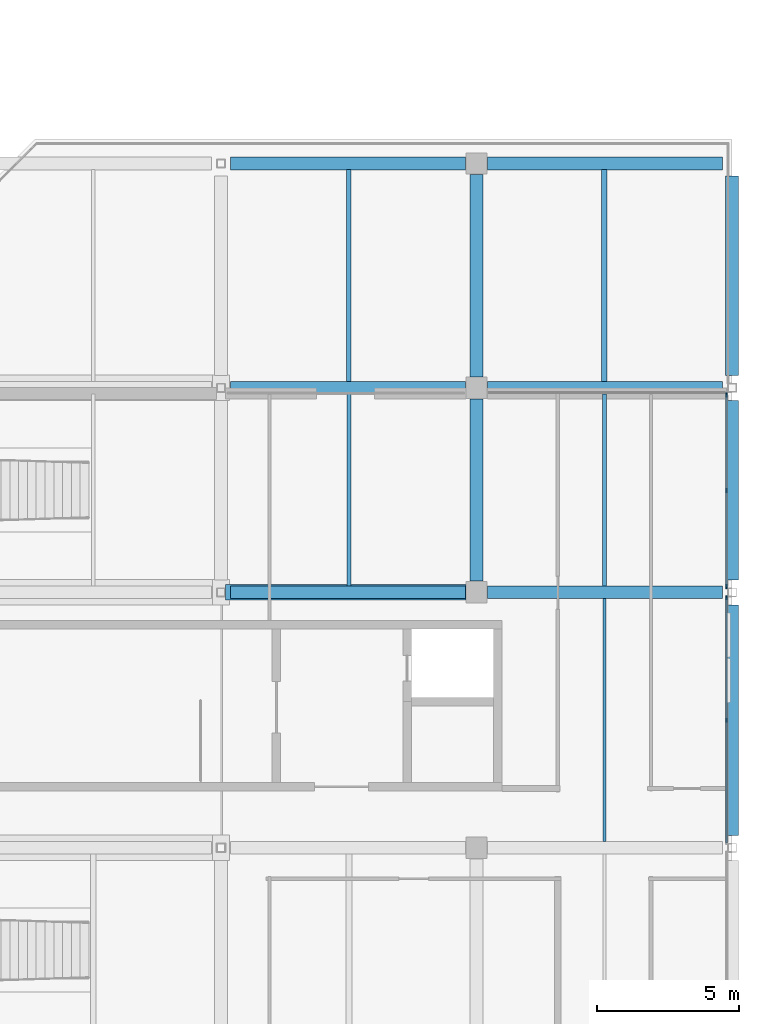
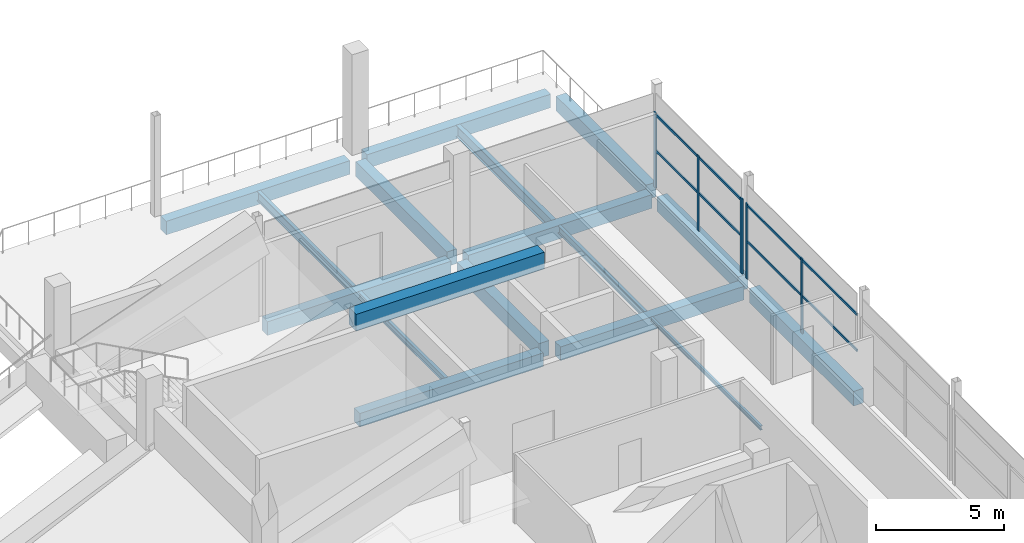
# One storey, part 38 of 66: 17 beams, 9 members, 2 elements without a shape of their own.
"""IFC4 building model written with IfcOpenShell, lengths in metres."""

from ifc_helpers import new_model, si_unit, direction, frame, origin, origin_2d, place, context, subcontext, project, spatial, rectangle, i_section, extrude, material, material_profile, profile_set, type_object, element, aggregate, save


model = new_model("IFC4")

# Units and contexts
model_context = context("Model", 3, precision=1e-05, world=origin(), true_north=direction((0.0, 1.0)))
body_context = subcontext(model_context, "Body", "Model", "MODEL_VIEW")
ifc_project = project(units=[si_unit("LENGTHUNIT", "METRE"), si_unit("AREAUNIT", "SQUARE_METRE"), si_unit("VOLUMEUNIT", "CUBIC_METRE"), si_unit("PLANEANGLEUNIT", "RADIAN"), si_unit("MASSUNIT", "GRAM", prefix="KILO"), si_unit("THERMODYNAMICTEMPERATUREUNIT", "KELVIN"), si_unit("POWERUNIT", "WATT")], contexts=[model_context])

# Site, building, storey
site_placement = place(None, origin())
site = spatial("IfcSite", under=ifc_project, at=site_placement, CompositionType="ELEMENT")
building_placement = place(site_placement, origin())
building = spatial("IfcBuilding", under=site, at=building_placement, Name="Sindhuravela Promenade Stadium", CompositionType="ELEMENT")
storey_placement = place(building_placement, frame((0.0, 0.0, 19.199951171875)))
storey = spatial("IfcBuildingStorey", under=building, at=storey_placement, Name="L04", CompositionType="ELEMENT", Elevation=19.199951171875)

# Curtain wall, members
ifc_material_1 = material(Name="Anodised architectural aluminium 6063-T6", Category="aluminium")
curtain_wall_type_1 = type_object("IfcCurtainWallType", Name="CW-MOD-2", PredefinedType="NOTDEFINED", material=ifc_material_1)
curtain_wall_1_placement = place(storey_placement, origin())
curtain_wall_1 = element("IfcCurtainWall", 1, at=curtain_wall_1_placement, inside=storey, type_object=curtain_wall_type_1, Name="Bronze curtain wall CW-EAST-L04-129", PredefinedType="NOTDEFINED")
ifc_material_profile_1 = material_profile(ifc_material_1, rectangle(XDim=0.06005859375, YDim=0.159912109375, at=origin_2d()), Name="ALU M60x160")
ifc_profile_set_1 = profile_set([ifc_material_profile_1], Name="Anodised architectural aluminium 6063-T6")
member_type_1 = type_object("IfcMemberType", Name="CW-MUL-4", PredefinedType="MULLION", material=ifc_profile_set_1)
member_1_placement = place(storey_placement, frame((206.800048828125, 116.7548828125, 0.0), z_axis=(0.0, 0.0, 1.0), x_axis=(1.0, 0.0, 0.0)))
member_1 = element("IfcMember", 2, at=member_1_placement, type_object=member_type_1, Name="Curtain wall mullion CW-EAST-L04-129-M1", PredefinedType="MULLION", context=body_context, shape_type="SweptSolid", body=[
    extrude(rectangle(XDim=0.06005859375, YDim=0.159912109375, at=origin_2d()), origin(), (0.0, 0.0, 1.0), 3.580078125),
])
member_2_placement = place(storey_placement, frame((206.800048828125, 113.37744140625, 0.0), z_axis=(0.0, 0.0, 1.0), x_axis=(1.0, 0.0, 0.0)))
member_2 = element("IfcMember", 3, at=member_2_placement, type_object=member_type_1, Name="Curtain wall mullion CW-EAST-L04-129-M2", PredefinedType="MULLION", context=body_context, shape_type="SweptSolid", body=[
    extrude(rectangle(XDim=0.06005859375, YDim=0.159912109375, at=origin_2d()), origin(), (0.0, 0.0, 1.0), 3.580078125),
])
member_3_placement = place(storey_placement, frame((206.800048828125, 110.0, 0.0), z_axis=(0.0, 0.0, 1.0), x_axis=(1.0, 0.0, 0.0)))
member_3 = element("IfcMember", 4, at=member_3_placement, type_object=member_type_1, Name="Curtain wall mullion CW-EAST-L04-129-M3", PredefinedType="MULLION", context=body_context, shape_type="SweptSolid", body=[
    extrude(rectangle(XDim=0.06005859375, YDim=0.159912109375, at=origin_2d()), origin(), (0.0, 0.0, 1.0), 3.580078125),
])

curtain_wall_type_2 = type_object("IfcCurtainWallType", Name="CW-MOD-3", PredefinedType="NOTDEFINED", material=ifc_material_1)
curtain_wall_2_placement = place(storey_placement, origin())
curtain_wall_2 = element("IfcCurtainWall", 5, at=curtain_wall_2_placement, inside=storey, type_object=curtain_wall_type_2, Name="Bronze curtain wall CW-EAST-L04-130", PredefinedType="NOTDEFINED")
ifc_material_profile_2 = material_profile(ifc_material_1, rectangle(XDim=0.06005859375, YDim=0.139892578125, at=origin_2d()), Name="ALU M60x140")
ifc_profile_set_2 = profile_set([ifc_material_profile_2], Name="Anodised architectural aluminium 6063-T6")
member_type_2 = type_object("IfcMemberType", Name="CW-MUL-5", PredefinedType="MULLION", material=ifc_profile_set_2)
member_4_placement = place(storey_placement, frame((206.800048828125, 109.60009765625, 0.0), z_axis=(0.0, 0.0, 1.0), x_axis=(1.0, 0.0, 0.0)))
member_4 = element("IfcMember", 6, at=member_4_placement, type_object=member_type_2, Name="Curtain wall mullion CW-EAST-L04-130-M1", PredefinedType="MULLION", context=body_context, shape_type="SweptSolid", body=[
    extrude(rectangle(XDim=0.06005859375, YDim=0.139892578125, at=origin_2d()), origin(), (0.0, 0.0, 1.0), 3.580078125),
])
member_5_placement = place(storey_placement, frame((206.800048828125, 105.300048828125, 0.0), z_axis=(0.0, 0.0, 1.0), x_axis=(1.0, 0.0, 0.0)))
member_5 = element("IfcMember", 7, at=member_5_placement, type_object=member_type_2, Name="Curtain wall mullion CW-EAST-L04-130-M2", PredefinedType="MULLION", context=body_context, shape_type="SweptSolid", body=[
    extrude(rectangle(XDim=0.06005859375, YDim=0.139892578125, at=origin_2d()), origin(), (0.0, 0.0, 1.0), 3.580078125),
])

# Member
ifc_material_profile_3 = material_profile(ifc_material_1, rectangle(XDim=0.06005859375, YDim=0.1201171875, at=origin_2d()), Name="ALU T60x120")
ifc_profile_set_3 = profile_set([ifc_material_profile_3], Name="Anodised architectural aluminium 6063-T6")
member_type_3 = type_object("IfcMemberType", Name="CW-TRN-4", PredefinedType="USERDEFINED", material=ifc_profile_set_3)
member_6_placement = place(storey_placement, frame((206.800048828125, 116.780029296875, 1.7900390625), z_axis=(0.0, -1.0, 0.0), x_axis=(1.0, 0.0, 0.0)))
member_6 = element("IfcMember", 8, at=member_6_placement, type_object=member_type_3, Name="Curtain wall transom CW-EAST-L04-129-T1", ObjectType="TRANSOM", PredefinedType="USERDEFINED", context=body_context, shape_type="SweptSolid", body=[
    extrude(rectangle(XDim=0.06005859375, YDim=0.1201171875, at=origin_2d()), origin(), (0.0, 0.0, 1.0), 6.804931640625),
])

member_7_placement = place(storey_placement, frame((206.800048828125, 116.780029296875, 3.5), z_axis=(0.0, -1.0, 0.0), x_axis=(1.0, 0.0, 0.0)))
member_7 = element("IfcMember", 9, at=member_7_placement, type_object=member_type_3, Name="Curtain wall transom CW-EAST-L04-129-T2", ObjectType="TRANSOM", PredefinedType="USERDEFINED", context=body_context, shape_type="SweptSolid", body=[
    extrude(rectangle(XDim=0.06005859375, YDim=0.1201171875, at=origin_2d()), origin(), (0.0, 0.0, 1.0), 6.804931640625),
])

aggregate(curtain_wall_1, [member_1, member_2, member_3, member_6, member_7])

ifc_material_profile_4 = material_profile(ifc_material_1, rectangle(XDim=0.06005859375, YDim=0.110107421875, at=origin_2d()), Name="ALU T60x110")
ifc_profile_set_4 = profile_set([ifc_material_profile_4], Name="Anodised architectural aluminium 6063-T6")
member_type_4 = type_object("IfcMemberType", Name="CW-TRN-5", PredefinedType="USERDEFINED", material=ifc_profile_set_4)
member_8_placement = place(storey_placement, frame((206.800048828125, 109.625, 1.7900390625), z_axis=(0.0, -1.0, 0.0), x_axis=(1.0, 0.0, 0.0)))
member_8 = element("IfcMember", 10, at=member_8_placement, type_object=member_type_4, Name="Curtain wall transom CW-EAST-L04-130-T1", ObjectType="TRANSOM", PredefinedType="USERDEFINED", context=body_context, shape_type="SweptSolid", body=[
    extrude(rectangle(XDim=0.06005859375, YDim=0.110107421875, at=origin_2d()), origin(), (0.0, 0.0, 1.0), 8.64990234375),
])

member_9_placement = place(storey_placement, frame((206.800048828125, 109.625, 3.5), z_axis=(0.0, -1.0, 0.0), x_axis=(1.0, 0.0, 0.0)))
member_9 = element("IfcMember", 11, at=member_9_placement, type_object=member_type_4, Name="Curtain wall transom CW-EAST-L04-130-T2", ObjectType="TRANSOM", PredefinedType="USERDEFINED", context=body_context, shape_type="SweptSolid", body=[
    extrude(rectangle(XDim=0.06005859375, YDim=0.110107421875, at=origin_2d()), origin(), (0.0, 0.0, 1.0), 8.64990234375),
])

aggregate(curtain_wall_2, [member_4, member_5, member_8, member_9])

# Beams
ifc_material_2 = material(Name="Concrete M40", Category="concrete")
ifc_material_profile_5 = material_profile(ifc_material_2, rectangle(XDim=0.449951171875, YDim=0.64990234375, at=origin_2d()), Name="RC 450x650")
ifc_profile_set_5 = profile_set([ifc_material_profile_5], Name="Concrete M40")
beam_type_1 = type_object("IfcBeamType", Name="RC-BM-450x650", PredefinedType="T_BEAM", material=ifc_profile_set_5)
for number, where, z_axis, x_axis, name in (
    (12, (189.340087890625, 109.800048828125, -0.64501953125), (1.0, 0.0, 0.0), (0.0, 1.0, 0.0), "Primary girder GB08 EAST L04"),
    (13, (198.389892578125, 109.800048828125, -0.64501953125), (1.0, 0.0, 0.0), (0.0, 1.0, 0.0), "Primary girder GB08 EAST L04"),
    (14, (189.340087890625, 117.0, -0.64501953125), (1.0, 0.0, 0.0), (0.0, 1.0, 0.0), "Primary girder GB08 EAST L04"),
    (15, (198.389892578125, 117.0, -0.64501953125), (1.0, 0.0, 0.0), (0.0, 1.0, 0.0), "Primary girder GB08 EAST L04"),
    (16, (189.340087890625, 124.89990234375, -0.64501953125), (1.0, 0.0, 0.0), (0.0, 1.0, 0.0), "Primary girder GB08 EAST L04"),
    (17, (198.389892578125, 124.89990234375, -0.64501953125), (1.0, 0.0, 0.0), (0.0, 1.0, 0.0), "Primary girder GB08 EAST L04"),
):
    element("IfcBeam", number, at=place(storey_placement, frame(where, z_axis=z_axis, x_axis=x_axis)), inside=storey, type_object=beam_type_1, Name=name, PredefinedType="T_BEAM", context=body_context, shape_type="SweptSolid", body=[
        extrude(rectangle(XDim=0.449951171875, YDim=0.64990234375, at=origin_2d()), origin(), (0.0, 0.0, 1.0), 8.27001953125),
    ])
ifc_material_profile_6 = material_profile(ifc_material_2, rectangle(XDim=0.449951171875, YDim=0.699951171875, at=origin_2d()), Name="RC 450x700")
ifc_profile_set_6 = profile_set([ifc_material_profile_6], Name="Concrete M40")
beam_type_2 = type_object("IfcBeamType", Name="RC-BM-450x700", PredefinedType="BEAM", material=ifc_profile_set_6)
beam_1_placement = place(storey_placement, frame((198.0, 110.18994140625, -0.669921875), z_axis=(0.0, 1.0, 0.0), x_axis=(-1.0, 0.0, 0.0)))
element("IfcBeam", 18, at=beam_1_placement, inside=storey, type_object=beam_type_2, Name="Primary beam GB07 EAST L04", PredefinedType="BEAM", context=body_context, shape_type="SweptSolid", body=[
    extrude(rectangle(XDim=0.449951171875, YDim=0.699951171875, at=origin_2d()), origin(), (0.0, 0.0, 1.0), 6.420166015625),
])
beam_2_placement = place(storey_placement, frame((198.0, 117.389892578125, -0.669921875), z_axis=(0.0, 1.0, 0.0), x_axis=(-1.0, 0.0, 0.0)))
element("IfcBeam", 19, at=beam_2_placement, inside=storey, type_object=beam_type_2, Name="Primary beam GB07 EAST L04", PredefinedType="BEAM", context=body_context, shape_type="SweptSolid", body=[
    extrude(rectangle(XDim=0.449951171875, YDim=0.699951171875, at=origin_2d()), origin(), (0.0, 0.0, 1.0), 7.1201171875),
])
beam_3_placement = place(storey_placement, frame((207.0, 101.239990234375, -0.669921875), z_axis=(0.0, 1.0, 0.0), x_axis=(-1.0, 0.0, 0.0)))
element("IfcBeam", 20, at=beam_3_placement, inside=storey, type_object=beam_type_2, Name="Primary beam GB07 EAST L04", PredefinedType="BEAM", context=body_context, shape_type="SweptSolid", body=[
    extrude(rectangle(XDim=0.449951171875, YDim=0.699951171875, at=origin_2d()), origin(), (0.0, 0.0, 1.0), 8.1201171875),
])
beam_4_placement = place(storey_placement, frame((207.0, 110.239990234375, -0.669921875), z_axis=(0.0, 1.0, 0.0), x_axis=(-1.0, 0.0, 0.0)))
element("IfcBeam", 21, at=beam_4_placement, inside=storey, type_object=beam_type_2, Name="Primary beam GB07 EAST L04", PredefinedType="BEAM", context=body_context, shape_type="SweptSolid", body=[
    extrude(rectangle(XDim=0.449951171875, YDim=0.699951171875, at=origin_2d()), origin(), (0.0, 0.0, 1.0), 6.320068359375),
])
beam_5_placement = place(storey_placement, frame((207.0, 117.43994140625, -0.669921875), z_axis=(0.0, 1.0, 0.0), x_axis=(-1.0, 0.0, 0.0)))
element("IfcBeam", 22, at=beam_5_placement, inside=storey, type_object=beam_type_2, Name="Primary beam GB07 EAST L04", PredefinedType="BEAM", context=body_context, shape_type="SweptSolid", body=[
    extrude(rectangle(XDim=0.449951171875, YDim=0.699951171875, at=origin_2d()), origin(), (0.0, 0.0, 1.0), 7.02001953125),
])
ifc_material_profile_7 = material_profile(ifc_material_2, rectangle(XDim=0.550048828125, YDim=0.800048828125, at=origin_2d()), Name="RC 550x800")
ifc_profile_set_7 = profile_set([ifc_material_profile_7], Name="Concrete M40")
beam_type_3 = type_object("IfcBeamType", Name="RC-BM-550x800", PredefinedType="BEAM", material=ifc_profile_set_7)
beam_6_placement = place(storey_placement, frame((189.14990234375, 109.800048828125, 4.09814453125), z_axis=(1.0, 0.0, 0.0), x_axis=(0.0, 1.0, 0.0)))
element("IfcBeam", 23, at=beam_6_placement, inside=storey, type_object=beam_type_3, Name="Primary girder GB05 EAST L04 canopy tie 3", PredefinedType="BEAM", context=body_context, shape_type="SweptSolid", body=[
    extrude(rectangle(XDim=0.550048828125, YDim=0.800048828125, at=origin_2d()), origin(), (0.0, 0.0, 1.0), 8.47509765625),
])
ifc_material_3 = material(Name="Steel E350 (IS 2062 E350BR)", Category="steel")
ifc_material_profile_8 = material_profile(ifc_material_3, i_section(OverallWidth=0.10009765625, OverallDepth=0.199951171875, WebThickness=0.005615234375, FlangeThickness=0.0107421875, FilletRadius=0.010986328125, at=origin_2d()), Name="ISMB 200")
ifc_profile_set_8 = profile_set([ifc_material_profile_8], Name="Steel E350 (IS 2062 E350BR)")
beam_type_4 = type_object("IfcBeamType", Name="ST-BM-MB200", PredefinedType="JOIST", material=ifc_profile_set_8)
beam_7_placement = place(storey_placement, frame((202.5, 101.014892578125, -0.419921875), z_axis=(0.0, 1.0, 0.0), x_axis=(-1.0, 0.0, 0.0)))
element("IfcBeam", 24, at=beam_7_placement, inside=storey, type_object=beam_type_4, Name="Secondary floor joist SB01 EAST L04", PredefinedType="JOIST", context=body_context, shape_type="SweptSolid", body=[
    extrude(i_section(OverallWidth=0.10009765625, OverallDepth=0.199951171875, WebThickness=0.005615234375, FlangeThickness=0.0107421875, FilletRadius=0.010986328125, at=origin_2d()), origin(), (0.0, 0.0, 1.0), 8.570068359375),
])
ifc_material_profile_9 = material_profile(ifc_material_3, i_section(OverallWidth=0.139892578125, OverallDepth=0.300048828125, WebThickness=0.0078125, FlangeThickness=0.01318359375, FilletRadius=0.013916015625, at=origin_2d()), Name="ISMB 300")
ifc_profile_set_9 = profile_set([ifc_material_profile_9], Name="Steel E350 (IS 2062 E350BR)")
beam_type_5 = type_object("IfcBeamType", Name="ST-BM-MB300", PredefinedType="JOIST", material=ifc_profile_set_9)
beam_8_placement = place(storey_placement, frame((193.5, 110.014892578125, -0.469970703125), z_axis=(0.0, 1.0, 0.0), x_axis=(-1.0, 0.0, 0.0)))
element("IfcBeam", 25, at=beam_8_placement, inside=storey, type_object=beam_type_5, Name="Secondary floor joist SB03 EAST L04", PredefinedType="JOIST", context=body_context, shape_type="SweptSolid", body=[
    extrude(i_section(OverallWidth=0.139892578125, OverallDepth=0.300048828125, WebThickness=0.0078125, FlangeThickness=0.01318359375, FilletRadius=0.013916015625, at=origin_2d()), origin(), (0.0, 0.0, 1.0), 6.77001953125),
])
ifc_material_profile_10 = material_profile(ifc_material_3, i_section(OverallWidth=0.139892578125, OverallDepth=0.35009765625, WebThickness=0.008056640625, FlangeThickness=0.01416015625, FilletRadius=0.013916015625, at=origin_2d()), Name="ISMB 350")
ifc_profile_set_10 = profile_set([ifc_material_profile_10], Name="Steel E350 (IS 2062 E350BR)")
beam_type_6 = type_object("IfcBeamType", Name="ST-BM-MB350", PredefinedType="JOIST", material=ifc_profile_set_10)
beam_9_placement = place(storey_placement, frame((202.5, 110.014892578125, -0.494873046875), z_axis=(0.0, 1.0, 0.0), x_axis=(-1.0, 0.0, 0.0)))
element("IfcBeam", 26, at=beam_9_placement, inside=storey, type_object=beam_type_6, Name="Secondary floor joist SB04 EAST L04", PredefinedType="JOIST", context=body_context, shape_type="SweptSolid", body=[
    extrude(i_section(OverallWidth=0.139892578125, OverallDepth=0.35009765625, WebThickness=0.008056640625, FlangeThickness=0.01416015625, FilletRadius=0.013916015625, at=origin_2d()), origin(), (0.0, 0.0, 1.0), 6.77001953125),
])
ifc_material_profile_11 = material_profile(ifc_material_3, i_section(OverallWidth=0.14990234375, OverallDepth=0.449951171875, WebThickness=0.009521484375, FlangeThickness=0.017333984375, FilletRadius=0.014892578125, at=origin_2d()), Name="ISMB 450")
ifc_profile_set_11 = profile_set([ifc_material_profile_11], Name="Steel E350 (IS 2062 E350BR)")
beam_type_7 = type_object("IfcBeamType", Name="ST-BM-MB450", PredefinedType="BEAM", material=ifc_profile_set_11)
beam_10_placement = place(storey_placement, frame((193.5, 117.215087890625, -0.544921875), z_axis=(0.0, 1.0, 0.0), x_axis=(-1.0, 0.0, 0.0)))
element("IfcBeam", 27, at=beam_10_placement, inside=storey, type_object=beam_type_7, Name="Secondary floor joist SB06 EAST L04", PredefinedType="BEAM", context=body_context, shape_type="SweptSolid", body=[
    extrude(i_section(OverallWidth=0.14990234375, OverallDepth=0.449951171875, WebThickness=0.009521484375, FlangeThickness=0.017333984375, FilletRadius=0.014892578125, at=origin_2d()), origin(), (0.0, 0.0, 1.0), 7.469970703125),
])
ifc_material_profile_12 = material_profile(ifc_material_3, i_section(OverallWidth=0.18994140625, OverallDepth=0.550048828125, WebThickness=0.01123046875, FlangeThickness=0.019287109375, FilletRadius=0.01806640625, at=origin_2d()), Name="ISMB 550")
ifc_profile_set_12 = profile_set([ifc_material_profile_12], Name="Steel E350 (IS 2062 E350BR)")
beam_type_8 = type_object("IfcBeamType", Name="ST-BM-MB550", PredefinedType="SPANDREL", material=ifc_profile_set_12)
beam_11_placement = place(storey_placement, frame((202.5, 117.215087890625, -0.594970703125), z_axis=(0.0, 1.0, 0.0), x_axis=(-1.0, 0.0, 0.0)))
element("IfcBeam", 28, at=beam_11_placement, inside=storey, type_object=beam_type_8, Name="Secondary floor joist SB08 EAST L04", PredefinedType="SPANDREL", context=body_context, shape_type="SweptSolid", body=[
    extrude(i_section(OverallWidth=0.18994140625, OverallDepth=0.550048828125, WebThickness=0.01123046875, FlangeThickness=0.019287109375, FilletRadius=0.01806640625, at=origin_2d()), origin(), (0.0, 0.0, 1.0), 7.469970703125),
])

save(model, "model.ifc")
